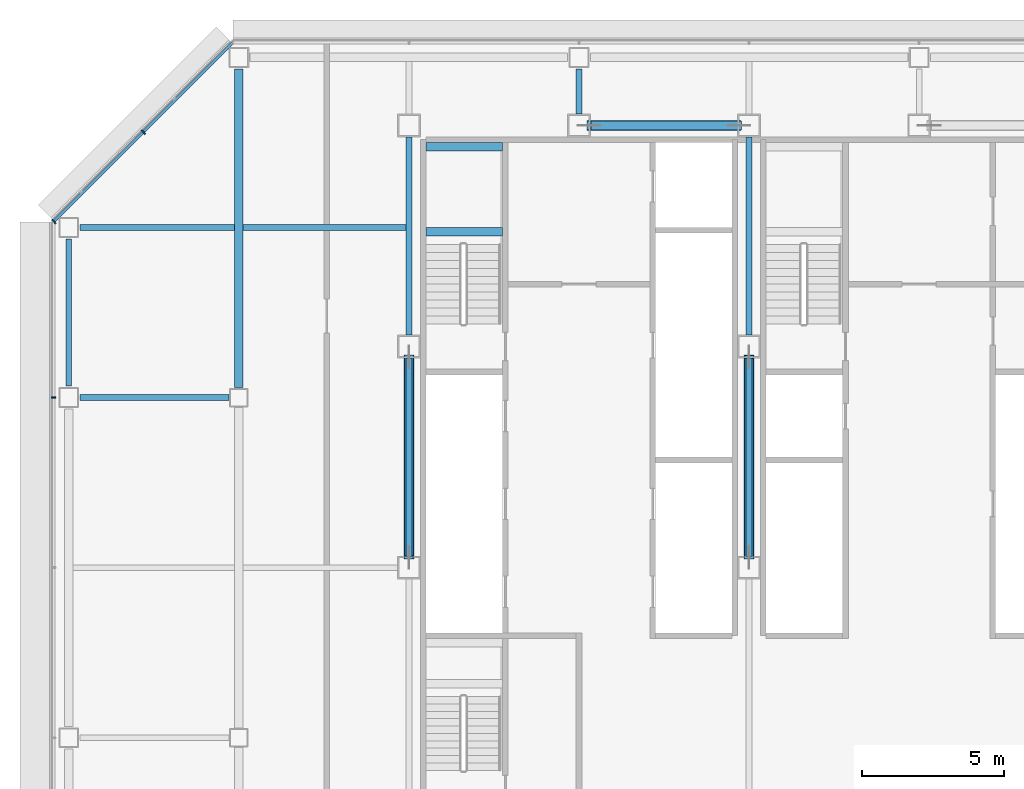
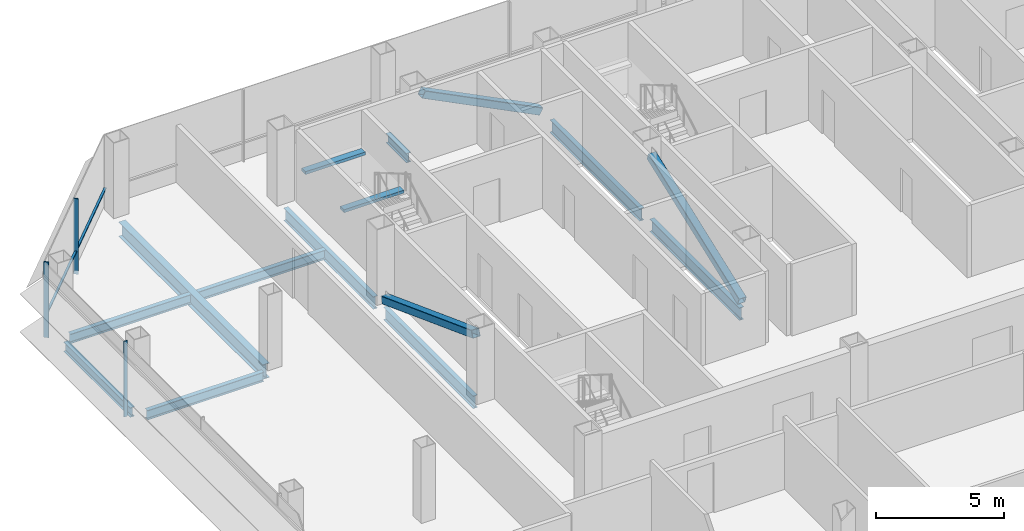
# One storey, part 11 of 26: 12 beams, 7 members, 2 elements without a shape of their own.
"""IFC4 building model written with IfcOpenShell, lengths in metres."""

from ifc_helpers import new_model, si_unit, direction, frame, origin, origin_2d, place, context, subcontext, project, spatial, rectangle, hollow_rectangle, i_section, extrude, material, material_profile, profile_set, type_object, element, aggregate, save


model = new_model("IFC4")

# Units and contexts
model_context = context("Model", 3, precision=1e-05, world=origin(), true_north=direction((0.0, 1.0)))
body_context = subcontext(model_context, "Body", "Model", "MODEL_VIEW")
ifc_project = project(units=[si_unit("LENGTHUNIT", "METRE"), si_unit("AREAUNIT", "SQUARE_METRE"), si_unit("VOLUMEUNIT", "CUBIC_METRE"), si_unit("PLANEANGLEUNIT", "RADIAN"), si_unit("MASSUNIT", "GRAM", prefix="KILO")], contexts=[model_context])

# Site, building, storey
site_placement = place(None, origin())
site = spatial("IfcSite", under=ifc_project, at=site_placement, CompositionType="ELEMENT")
building_placement = place(site_placement, origin())
building = spatial("IfcBuilding", under=site, at=building_placement, Name="Sorahane Residences", CompositionType="ELEMENT")
storey_placement = place(building_placement, frame((0.0, 0.0, 147.39990234375)))
storey = spatial("IfcBuildingStorey", under=building, at=storey_placement, Name="L33", CompositionType="ELEMENT", Elevation=147.39990234375)

# Members
ifc_material_1 = material(Name="Steel Q355B", Category="steel")
ifc_material_profile_1 = material_profile(ifc_material_1, hollow_rectangle(XDim=0.35009765625, YDim=0.35009765625, WallThickness=0.01806640625, InnerFilletRadius=0.009033203125, OuterFilletRadius=0.027099609375, at=origin_2d()), Name="RHS 350x350x18")
ifc_profile_set_1 = profile_set([ifc_material_profile_1], Name="Steel Q355B")
member_type_1 = type_object("IfcMemberType", Name="Core brace RHS 350x350x18 Q355B", PredefinedType="BRACE", material=ifc_profile_set_1)
member_1_placement = place(storey_placement, frame((17.647216796875, 45.60009765625, 0.1513671875), z_axis=(-0.893055794866, 0.0, 0.449945938149), x_axis=(0.0, -1.0, 0.0)))
element("IfcMember", 1, at=member_1_placement, inside=storey, type_object=member_type_1, Name="Core brace L33 y45.6-2", PredefinedType="BRACE", context=body_context, shape_type="SweptSolid", body=[
    extrude(hollow_rectangle(XDim=0.35009765625, YDim=0.35009765625, WallThickness=0.01806640625, InnerFilletRadius=0.009033203125, OuterFilletRadius=0.027099609375, at=origin_2d()), origin(), (0.0, 0.0, 1.0), 5.928466796875),
])
for number, where, z_axis, x_axis, name in (
    (2, (6.0, 37.436767578125, 0.161376953125), (0.0, -0.936550837269, 0.350531780601), (1.0, 0.0, 0.0), "Core brace L33 x6-2"),
    (3, (18.0, 30.36328125, 0.161376953125), (0.0, 0.936550837269, 0.350531780601), (-1.0, 0.0, 0.0), "Core brace L33 x18-1"),
):
    element("IfcMember", number, at=place(storey_placement, frame(where, z_axis=z_axis, x_axis=x_axis)), inside=storey, type_object=member_type_1, Name=name, PredefinedType="BRACE", context=body_context, shape_type="SweptSolid", body=[
        extrude(hollow_rectangle(XDim=0.35009765625, YDim=0.35009765625, WallThickness=0.01806640625, InnerFilletRadius=0.009033203125, OuterFilletRadius=0.027099609375, at=origin_2d()), origin(), (0.0, 0.0, 1.0), 7.552734375),
    ])

# Curtain wall, member
ifc_material_2 = material(Name="Dark low-e glass and black anodised aluminium", Category="aluminium")
curtain_wall_type_1 = type_object("IfcCurtainWallType", Name="Curtain wall CW-1 Typical unitised wall", PredefinedType="NOTDEFINED", material=ifc_material_2)
curtain_wall_1_placement = place(storey_placement, origin())
curtain_wall_1 = element("IfcCurtainWall", 4, at=curtain_wall_1_placement, inside=storey, type_object=curtain_wall_type_1, Name="CW-1 curtain wall L33 W1", PredefinedType="NOTDEFINED")
ifc_material_3 = material(Name="Black anodised aluminium", Category="aluminium")
ifc_material_profile_2 = material_profile(ifc_material_3, rectangle(XDim=0.159912109375, YDim=0.050048828125, at=origin_2d()), Name="Curtain wall mullion CW-1 black anodised aluminium 50x160")
ifc_profile_set_2 = profile_set([ifc_material_profile_2], Name="Black anodised aluminium")
member_type_2 = type_object("IfcMemberType", Name="Curtain wall mullion CW-1 black anodised aluminium 50x160", PredefinedType="MULLION", material=ifc_profile_set_2)
member_2_placement = place(storey_placement, frame((-6.5400390625, 36.0, -0.179931640625), z_axis=(0.0, 0.0, 1.0), x_axis=(-1.0, 0.0, 0.0)))
member_2 = element("IfcMember", 5, at=member_2_placement, type_object=member_type_2, Name="CW-1 mullion L33 W1.2", PredefinedType="MULLION", context=body_context, shape_type="SweptSolid", body=[
    extrude(rectangle(XDim=0.159912109375, YDim=0.050048828125, at=origin_2d()), origin(), (0.0, 0.0, 1.0), 3.60009765625),
])
aggregate(curtain_wall_1, [member_2])

# Curtain wall, members
ifc_material_4 = material(Name="Dark low-e glass and black anodised aluminium", Category="aluminium")
curtain_wall_type_2 = type_object("IfcCurtainWallType", Name="Curtain wall CW-2 Chamfer unitised wall", PredefinedType="NOTDEFINED", material=ifc_material_4)
curtain_wall_2_placement = place(storey_placement, origin())
curtain_wall_2 = element("IfcCurtainWall", 6, at=curtain_wall_2_placement, inside=storey, type_object=curtain_wall_type_2, Name="CW-2 curtain wall L33 NW1", PredefinedType="NOTDEFINED")
ifc_material_5 = material(Name="Black anodised aluminium", Category="aluminium")
ifc_material_profile_3 = material_profile(ifc_material_5, rectangle(XDim=0.199951171875, YDim=0.050048828125, at=origin_2d()), Name="Curtain wall mullion CW-2 black anodised aluminium 50x200")
ifc_profile_set_3 = profile_set([ifc_material_profile_3], Name="Black anodised aluminium")
member_type_3 = type_object("IfcMemberType", Name="Curtain wall mullion CW-2 black anodised aluminium 50x200", PredefinedType="MULLION", material=ifc_profile_set_3)
member_3_placement = place(storey_placement, frame((-3.36767578125, 45.36767578125, -0.179931640625), z_axis=(0.0, 0.0, 1.0), x_axis=(-0.707106781187, 0.707106781187, 0.0)))
member_3 = element("IfcMember", 7, at=member_3_placement, type_object=member_type_3, Name="CW-2 mullion L33 NW1.2", PredefinedType="MULLION", context=body_context, shape_type="SweptSolid", body=[
    extrude(rectangle(XDim=0.199951171875, YDim=0.050048828125, at=origin_2d()), origin(), (0.0, 0.0, 1.0), 3.60009765625),
])
member_4_placement = place(storey_placement, frame((-6.525634765625, 42.209716796875, -0.179931640625), z_axis=(0.0, 0.0, 1.0), x_axis=(-0.707106781187, 0.707106781187, 0.0)))
member_4 = element("IfcMember", 8, at=member_4_placement, type_object=member_type_3, Name="CW-2 mullion L33 NW1.3", PredefinedType="MULLION", context=body_context, shape_type="SweptSolid", body=[
    extrude(rectangle(XDim=0.199951171875, YDim=0.050048828125, at=origin_2d()), origin(), (0.0, 0.0, 1.0), 3.60009765625),
])
ifc_material_6 = material(Name="Black anodised aluminium", Category="aluminium")
ifc_material_profile_4 = material_profile(ifc_material_6, rectangle(XDim=0.10009765625, YDim=0.06005859375, at=origin_2d()), Name="Curtain wall transom CW-2 black anodised aluminium 60x100")
ifc_profile_set_4 = profile_set([ifc_material_profile_4], Name="Black anodised aluminium")
member_type_4 = type_object("IfcMemberType", Name="Curtain wall transom CW-2 black anodised aluminium 60x100", PredefinedType="USERDEFINED", material=ifc_profile_set_4)
member_5_placement = place(storey_placement, frame((-0.234375, 48.51513671875, 0.900146484375), z_axis=(-0.707106781187, -0.707106781187, 0.0), x_axis=(0.707106781187, -0.707106781187, 0.0)))
member_5 = element("IfcMember", 9, at=member_5_placement, type_object=member_type_4, Name="CW-2 transom L33 NW1", ObjectType="TRANSOM", PredefinedType="USERDEFINED", context=body_context, shape_type="SweptSolid", body=[
    extrude(rectangle(XDim=0.10009765625, YDim=0.06005859375, at=origin_2d()), origin(), (0.0, 0.0, 1.0), 8.88232421875),
])
aggregate(curtain_wall_2, [member_3, member_4, member_5])

# Beams
ifc_material_7 = material(Name="Concrete C40", Category="concrete")
ifc_material_profile_5 = material_profile(ifc_material_7, rectangle(XDim=0.300048828125, YDim=0.139892578125, at=origin_2d()), Name="300x140")
ifc_profile_set_5 = profile_set([ifc_material_profile_5], Name="Concrete C40")
beam_type_1 = type_object("IfcBeamType", Name="RC landing beam 300 x 140 Concrete C40", PredefinedType="BEAM", material=ifc_profile_set_5)
for number, where, z_axis, x_axis, name in (
    (10, (6.60009765625, 41.85009765625, 1.530029296875), (1.0, 0.0, 0.0), (0.0, 1.0, 0.0), "Landing beam"),
    (11, (6.60009765625, 44.85009765625, 1.530029296875), (1.0, 0.0, 0.0), (0.0, 1.0, 0.0), "Landing beam"),
):
    element("IfcBeam", number, at=place(storey_placement, frame(where, z_axis=z_axis, x_axis=x_axis)), inside=storey, type_object=beam_type_1, Name=name, PredefinedType="BEAM", context=body_context, shape_type="SweptSolid", body=[
        extrude(rectangle(XDim=0.300048828125, YDim=0.139892578125, at=origin_2d()), origin(), (0.0, 0.0, 1.0), 2.699951171875),
    ])
ifc_material_8 = material(Name="Steel Q355B", Category="steel")
ifc_material_profile_6 = material_profile(ifc_material_8, i_section(OverallWidth=0.199951171875, OverallDepth=0.449951171875, WebThickness=0.009033203125, FlangeThickness=0.013916015625, FilletRadius=0.02001953125, at=origin_2d()), Name="HN 450x200x9x14")
ifc_profile_set_6 = profile_set([ifc_material_profile_6], Name="Steel Q355B")
beam_type_2 = type_object("IfcBeamType", Name="Steel floor beam HN 450x200x9x14 Q355B", PredefinedType="BEAM", material=ifc_profile_set_6)
beam_1_placement = place(storey_placement, frame((-5.60009765625, 36.0, -0.40478515625), z_axis=(1.0, 0.0, 0.0), x_axis=(0.0, 1.0, 0.0)))
element("IfcBeam", 12, at=beam_1_placement, inside=storey, type_object=beam_type_2, Name="Beam L33 013", PredefinedType="BEAM", context=body_context, shape_type="SweptSolid", body=[
    extrude(i_section(OverallWidth=0.199951171875, OverallDepth=0.449951171875, WebThickness=0.009033203125, FlangeThickness=0.013916015625, FilletRadius=0.02001953125, at=origin_2d()), origin(), (0.0, 0.0, 1.0), 5.25),
])
beam_2_placement = place(storey_placement, frame((-6.0, 36.39990234375, -0.40478515625), z_axis=(0.0, 1.0, 0.0), x_axis=(-1.0, 0.0, 0.0)))
element("IfcBeam", 13, at=beam_2_placement, inside=storey, type_object=beam_type_2, Name="Beam L33 023", PredefinedType="BEAM", context=body_context, shape_type="SweptSolid", body=[
    extrude(i_section(OverallWidth=0.199951171875, OverallDepth=0.449951171875, WebThickness=0.009033203125, FlangeThickness=0.013916015625, FilletRadius=0.02001953125, at=origin_2d()), origin(), (0.0, 0.0, 1.0), 5.2001953125),
])
beam_3_placement = place(storey_placement, frame((12.0, 46.0, -0.40478515625), z_axis=(0.0, 1.0, 0.0), x_axis=(-1.0, 0.0, 0.0)))
element("IfcBeam", 14, at=beam_3_placement, inside=storey, type_object=beam_type_2, Name="Beam L33 035", PredefinedType="BEAM", context=body_context, shape_type="SweptSolid", body=[
    extrude(i_section(OverallWidth=0.199951171875, OverallDepth=0.449951171875, WebThickness=0.009033203125, FlangeThickness=0.013916015625, FilletRadius=0.02001953125, at=origin_2d()), origin(), (0.0, 0.0, 1.0), 1.60009765625),
])
beam_4_placement = place(storey_placement, frame((-5.60009765625, 42.0, -0.40478515625), z_axis=(1.0, 0.0, 0.0), x_axis=(0.0, 1.0, 0.0)))
element("IfcBeam", 15, at=beam_4_placement, inside=storey, type_object=beam_type_2, Name="Beam L33 089", PredefinedType="BEAM", context=body_context, shape_type="SweptSolid", body=[
    extrude(i_section(OverallWidth=0.199951171875, OverallDepth=0.449951171875, WebThickness=0.009033203125, FlangeThickness=0.013916015625, FilletRadius=0.02001953125, at=origin_2d()), origin(), (0.0, 0.0, 1.0), 5.4501953125),
])
beam_5_placement = place(storey_placement, frame((0.14990234375, 42.0, -0.40478515625), z_axis=(1.0, 0.0, 0.0), x_axis=(0.0, 1.0, 0.0)))
element("IfcBeam", 16, at=beam_5_placement, inside=storey, type_object=beam_type_2, Name="Beam L33 090", PredefinedType="BEAM", context=body_context, shape_type="SweptSolid", body=[
    extrude(i_section(OverallWidth=0.199951171875, OverallDepth=0.449951171875, WebThickness=0.009033203125, FlangeThickness=0.013916015625, FilletRadius=0.02001953125, at=origin_2d()), origin(), (0.0, 0.0, 1.0), 5.75),
])
ifc_material_9 = material(Name="Steel Q355B", Category="steel")
ifc_material_profile_7 = material_profile(ifc_material_9, i_section(OverallWidth=0.199951171875, OverallDepth=0.60009765625, WebThickness=0.010986328125, FlangeThickness=0.01708984375, FilletRadius=0.02392578125, at=origin_2d()), Name="HN 600x200x11x17")
ifc_profile_set_7 = profile_set([ifc_material_profile_7], Name="Steel Q355B")
beam_type_3 = type_object("IfcBeamType", Name="Steel floor beam HN 600x200x11x17 Q355B", PredefinedType="BEAM", material=ifc_profile_set_7)
for number, where, z_axis, x_axis, name in (
    (17, (6.0, 30.39990234375, -0.47998046875), (0.0, 1.0, 0.0), (-1.0, 0.0, 0.0), "Beam L33 031"),
    (18, (6.0, 38.199951171875, -0.47998046875), (0.0, 1.0, 0.0), (-1.0, 0.0, 0.0), "Beam L33 032"),
    (19, (18.0, 30.39990234375, -0.47998046875), (0.0, 1.0, 0.0), (-1.0, 0.0, 0.0), "Beam L33 039"),
    (20, (18.0, 38.199951171875, -0.47998046875), (0.0, 1.0, 0.0), (-1.0, 0.0, 0.0), "Beam L33 040"),
):
    element("IfcBeam", number, at=place(storey_placement, frame(where, z_axis=z_axis, x_axis=x_axis)), inside=storey, type_object=beam_type_3, Name=name, PredefinedType="BEAM", context=body_context, shape_type="SweptSolid", body=[
        extrude(i_section(OverallWidth=0.199951171875, OverallDepth=0.60009765625, WebThickness=0.010986328125, FlangeThickness=0.01708984375, FilletRadius=0.02392578125, at=origin_2d()), origin(), (0.0, 0.0, 1.0), 7.0),
    ])
ifc_material_10 = material(Name="Steel Q355B", Category="steel")
ifc_material_profile_8 = material_profile(ifc_material_10, i_section(OverallWidth=0.300048828125, OverallDepth=0.699951171875, WebThickness=0.012939453125, FlangeThickness=0.02392578125, FilletRadius=0.028076171875, at=origin_2d()), Name="HN 700x300x13x24")
ifc_profile_set_8 = profile_set([ifc_material_profile_8], Name="Steel Q355B")
beam_type_4 = type_object("IfcBeamType", Name="Steel floor beam HN 700x300x13x24 Q355B", PredefinedType="BEAM", material=ifc_profile_set_8)
beam_6_placement = place(storey_placement, frame((0.0, 36.35009765625, -0.52978515625), z_axis=(0.0, 1.0, 0.0), x_axis=(-1.0, 0.0, 0.0)))
element("IfcBeam", 21, at=beam_6_placement, inside=storey, type_object=beam_type_4, Name="Beam L33 027", PredefinedType="BEAM", context=body_context, shape_type="SweptSolid", body=[
    extrude(i_section(OverallWidth=0.300048828125, OverallDepth=0.699951171875, WebThickness=0.012939453125, FlangeThickness=0.02392578125, FilletRadius=0.028076171875, at=origin_2d()), origin(), (0.0, 0.0, 1.0), 11.25),
])

save(model, "model.ifc")
